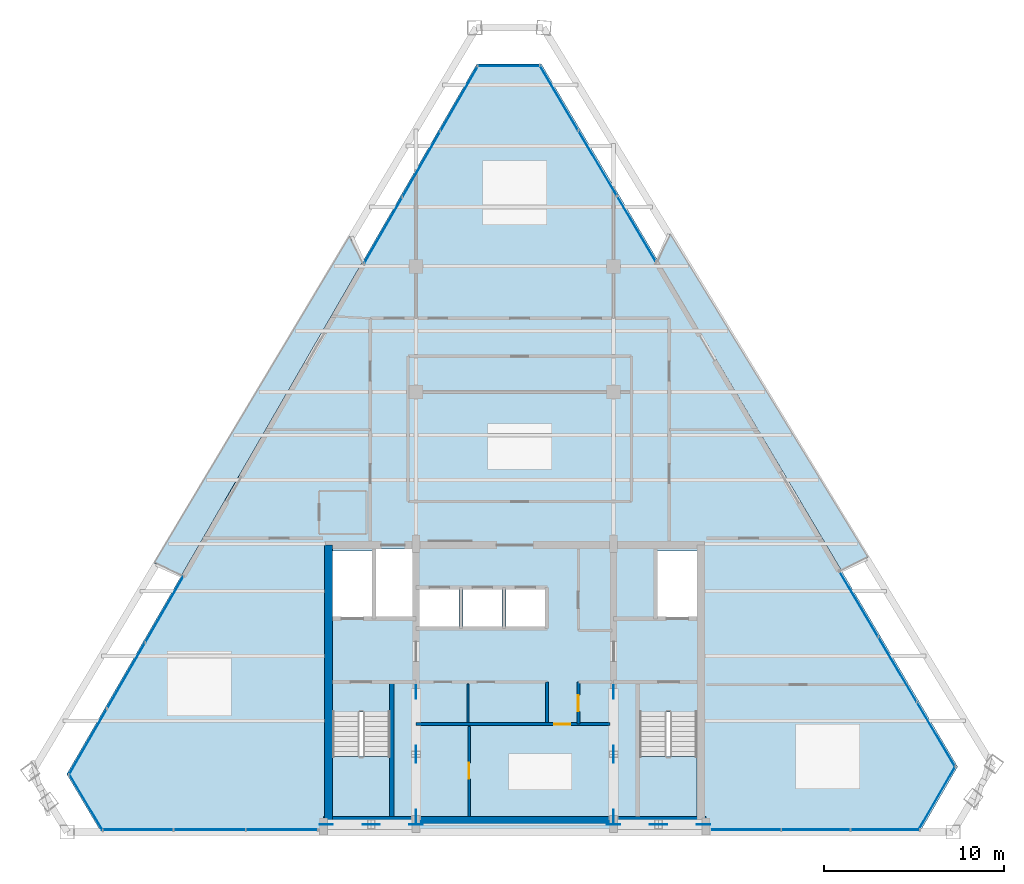
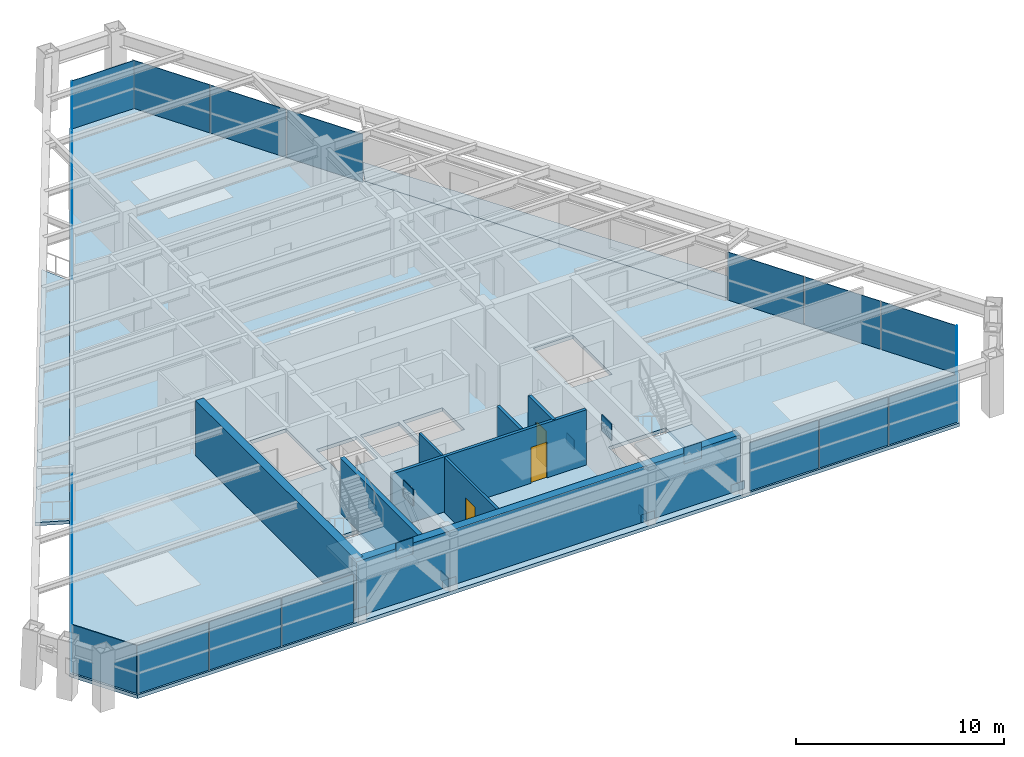
# One storey, part 8 of 13: 33 plates, 8 walls, 5 slabs, 3 doors, 3 openings, 11 elements without a shape of their own.
"""IFC4 building model written with IfcOpenShell, lengths in metres."""

import ifcopenshell
import ifcopenshell.guid

model = None  # the IFC model being written
_history = None  # IfcOwnerHistory: only IFC2X3 demands one
_inside = {}  # id of a spatial element -> (the spatial element, [elements in it])
_under = {}  # id of a project, library or spatial element -> (it, [spatial elements below it])
_declared = {}  # id of a project -> (the project, [libraries it declares])
_typed = {}  # id of a type object -> (the type object, [elements of that type])
_made_of = {}  # id of a material, layer set ... -> (it, [elements and type objects made of it])


def new_model(schema):
    """Start an empty IFC model of exactly this schema.

    Asked for "IFC4X3", IfcOpenShell would pick the latest addendum, in which some entities
    have other attributes; the version numbers below select the first issue.
    IFC2X3 requires an IfcOwnerHistory on every rooted entity: one is made here for all.
    """
    global model, _history
    if schema == "IFC4X3":
        model = ifcopenshell.file(schema_version=(4, 3, 0, 0))
    else:
        model = ifcopenshell.file(schema=schema)
    _inside.clear()
    _under.clear()
    _declared.clear()
    _typed.clear()
    _made_of.clear()
    _history = None
    if model.schema == "IFC2X3":
        org = make("IfcOrganization", Name="unknown")
        user = make(
            "IfcPersonAndOrganization",
            ThePerson=make("IfcPerson", FamilyName="unknown"),
            TheOrganization=org,
        )
        app = make(
            "IfcApplication",
            ApplicationDeveloper=org,
            Version="unknown",
            ApplicationFullName="unknown",
            ApplicationIdentifier="unknown",
        )
        _history = make(
            "IfcOwnerHistory",
            OwningUser=user,
            OwningApplication=app,
            ChangeAction="ADDED",
            CreationDate=0,
        )
    return model


def make(cls, **values):
    """One entity of the class cls with the attributes given. An attribute that is None is left unset."""
    return model.create_entity(
        cls, **{name: value for name, value in values.items() if value is not None}
    )


def rooted(cls, **values):
    """An entity with a GlobalId (a new one), such as an element, a storey or a relation."""
    return make(cls, GlobalId=ifcopenshell.guid.new(), OwnerHistory=_history, **values)


def si_unit(unit_type, name, prefix=None):
    """IfcSIUnit, for example si_unit("LENGTHUNIT", "METRE", prefix="MILLI")."""
    return make("IfcSIUnit", UnitType=unit_type, Prefix=prefix, Name=name)


def assignment(units):
    """IfcUnitAssignment: the units of a project."""
    return None if units is None else make("IfcUnitAssignment", Units=units)


def point(xyz):
    """IfcCartesianPoint."""
    return None if xyz is None else make("IfcCartesianPoint", Coordinates=xyz)


def direction(xyz):
    """IfcDirection."""
    return None if xyz is None else make("IfcDirection", DirectionRatios=xyz)


def frame(location, z_axis=None, x_axis=None):
    """IfcAxis2Placement3D, a coordinate frame: its origin and axes. An axis left out is left unset."""
    return make(
        "IfcAxis2Placement3D",
        Location=point(location),
        Axis=direction(z_axis),
        RefDirection=direction(x_axis),
    )


def frame_2d(location, x_axis=None):
    """IfcAxis2Placement2D, a coordinate frame in the plane: its origin and x axis."""
    return make(
        "IfcAxis2Placement2D", Location=point(location), RefDirection=direction(x_axis)
    )


def origin():
    """The frame at (0, 0, 0) with its axes left unset."""
    return frame((0.0, 0.0, 0.0))


def origin_2d():
    """The frame at (0, 0) in the plane with its x axis left unset."""
    return frame_2d((0.0, 0.0))


def place(relative_to, where):
    """IfcLocalPlacement: puts the frame where relative to a parent placement (None: the world)."""
    return make(
        "IfcLocalPlacement", PlacementRelTo=relative_to, RelativePlacement=where
    )


def context(
    kind, dimensions, precision=None, world=None, true_north=None, identifier=None
):
    """IfcGeometricRepresentationContext, for example the 3D "Model" context."""
    return make(
        "IfcGeometricRepresentationContext",
        ContextIdentifier=identifier,
        ContextType=kind,
        CoordinateSpaceDimension=dimensions,
        Precision=precision,
        WorldCoordinateSystem=world,
        TrueNorth=true_north,
    )


def subcontext(parent, identifier, kind, view, scale=None):
    """IfcGeometricRepresentationSubContext, for example "Body" below "Model"."""
    return make(
        "IfcGeometricRepresentationSubContext",
        ContextIdentifier=identifier,
        ContextType=kind,
        ParentContext=parent,
        TargetScale=scale,
        TargetView=view,
    )


def project(units=None, contexts=None):
    """IfcProject with its units and contexts."""
    return rooted(
        "IfcProject",
        Name="project",
        RepresentationContexts=contexts,
        UnitsInContext=assignment(units),
    )


def spatial(cls, under=None, at=None, **own):
    """A site, building, storey or space (cls), placed at a placement, below another one or the project."""
    s = rooted(cls, ObjectPlacement=at, **own)
    if under is not None:
        _under.setdefault(under.id(), (under, []))[1].append(s)
    return s


def polyline(points):
    """IfcPolyline through the points."""
    return make("IfcPolyline", Points=[point(p) for p in points])


def profile(cls, at=None, kind="AREA", **sizes):
    """A parametric profile (cls). Its sizes go by their IFC names, for example OverallWidth=200.0."""
    return make(cls, ProfileType=kind, Position=at, **sizes)


def rectangle(**sizes):
    """IfcRectangleProfileDef."""
    return profile("IfcRectangleProfileDef", **sizes)


def outline(outer, holes=None, kind="AREA"):
    """IfcArbitraryClosedProfileDef: a profile drawn as a closed curve; with holes, ...WithVoids."""
    if holes is None:
        return make("IfcArbitraryClosedProfileDef", ProfileType=kind, OuterCurve=outer)
    return make(
        "IfcArbitraryProfileDefWithVoids",
        ProfileType=kind,
        OuterCurve=outer,
        InnerCurves=holes,
    )


def extrude(swept, where, along, depth):
    """IfcExtrudedAreaSolid: the profile swept, set in the frame where, extruded along a direction by depth."""
    return make(
        "IfcExtrudedAreaSolid",
        SweptArea=swept,
        Position=where,
        ExtrudedDirection=direction(along),
        Depth=depth,
    )


def shape(context_of_items, identifier, shape_type, items):
    """IfcShapeRepresentation: the items that make up one representation, for example the "Body"."""
    return make(
        "IfcShapeRepresentation",
        ContextOfItems=context_of_items,
        RepresentationIdentifier=identifier,
        RepresentationType=shape_type,
        Items=items,
    )


def source(mapping_origin, context_of_items, identifier, shape_type, items):
    """IfcRepresentationMap: a shape defined once, which mapped items show again and again."""
    return make(
        "IfcRepresentationMap",
        MappingOrigin=mapping_origin,
        MappedRepresentation=shape(context_of_items, identifier, shape_type, items),
    )


def transform(
    local_origin,
    x_axis=None,
    y_axis=None,
    z_axis=None,
    scale=None,
    scale2=None,
    scale3=None,
    uniform=True,
):
    """IfcCartesianTransformationOperator3D, or its non-uniform kind. x_axis, y_axis, z_axis: its Axis1, 2, 3."""
    if uniform:
        return make(
            "IfcCartesianTransformationOperator3D",
            Axis1=direction(x_axis),
            Axis2=direction(y_axis),
            LocalOrigin=point(local_origin),
            Scale=scale,
            Axis3=direction(z_axis),
        )
    return make(
        "IfcCartesianTransformationOperator3DnonUniform",
        Axis1=direction(x_axis),
        Axis2=direction(y_axis),
        LocalOrigin=point(local_origin),
        Scale=scale,
        Axis3=direction(z_axis),
        Scale2=scale2,
        Scale3=scale3,
    )


def mapped(mapping_source, mapping_target):
    """IfcMappedItem: shows the shape of a source again, moved by a transform."""
    return make(
        "IfcMappedItem", MappingSource=mapping_source, MappingTarget=mapping_target
    )


def material(Name=None, Category=None):
    """IfcMaterial."""
    return make("IfcMaterial", Name=Name, Category=Category)


def layer(
    of_material, thickness, ventilated=None, Name=None, Category=None, Priority=None
):
    """IfcMaterialLayer: one layer of a wall or slab, of a material (None: an air gap)."""
    return make(
        "IfcMaterialLayer",
        Material=of_material,
        LayerThickness=thickness,
        IsVentilated=ventilated,
        Name=Name,
        Category=Category,
        Priority=Priority,
    )


def layer_set(layers, Name=None):
    """IfcMaterialLayerSet."""
    return make("IfcMaterialLayerSet", MaterialLayers=layers, LayerSetName=Name)


def made_of(thing, what):
    """Note that an element or type object is made of a material, layer set ...; save() writes the relation."""
    if what is not None:
        _made_of.setdefault(what.id(), (what, []))[1].append(thing)
    return thing


def type_object(cls, material=None, **own):
    """A type object (cls), such as IfcWallType, which elements share."""
    return made_of(rooted(cls, **own), material)


def type_shapes(of_type, sources):
    """Give a type object the sources (RepresentationMaps) that its elements show as mapped items."""
    of_type.RepresentationMaps = sources


def element(
    cls,
    number,
    at=None,
    inside=None,
    cuts=None,
    type_object=None,
    material=None,
    context=None,
    identifier="Body",
    shape_type=None,
    held_by="IfcProductDefinitionShape",
    body=None,
    shapes=None,
    **own,
):
    """One element of the class cls, such as IfcWall. Its Tag is "e" and its number.

    at: its placement. inside: the storey or other place that contains it. cuts: it is an
    opening in that element (IfcRelVoidsElement). A single representation is given by context,
    identifier, shape_type and body (its items); several are given by shapes. held_by: the class
    of the entity that holds the representations. save() writes the other relations.
    """
    e = rooted(cls, Tag="e%d" % number, ObjectPlacement=at, **own)
    if body is not None:
        shapes = [shape(context, identifier, shape_type, body)]
    if shapes is not None:
        e.Representation = make(held_by, Representations=shapes)
    if inside is not None:
        _inside.setdefault(inside.id(), (inside, []))[1].append(e)
    if cuts is not None:
        rooted(
            "IfcRelVoidsElement", RelatingBuildingElement=cuts, RelatedOpeningElement=e
        )
    if type_object is not None:
        _typed.setdefault(type_object.id(), (type_object, []))[1].append(e)
    return made_of(e, material)


def fill(opening, filler):
    """IfcRelFillsElement: the door or window that sits in an opening."""
    return rooted(
        "IfcRelFillsElement",
        RelatingOpeningElement=opening,
        RelatedBuildingElement=filler,
    )


def aggregate(whole, parts):
    """IfcRelAggregates: a whole, such as a stair, and the parts it consists of."""
    return rooted("IfcRelAggregates", RelatingObject=whole, RelatedObjects=parts)


def save(model, path):
    """Write the relations noted so far, then the file.

    IfcRelAggregates (storeys below a building ...), IfcRelContainedInSpatialStructure (elements
    in a storey), IfcRelDefinesByType, IfcRelAssociatesMaterial and IfcRelDeclares: one each for
    every whole, place, type object, material and project.
    """
    for whole, parts in _under.values():
        aggregate(whole, parts)
    for where, things in _inside.values():
        rooted(
            "IfcRelContainedInSpatialStructure",
            RelatedElements=things,
            RelatingStructure=where,
        )
    for kind, things in _typed.values():
        rooted("IfcRelDefinesByType", RelatedObjects=things, RelatingType=kind)
    for what, things in _made_of.values():
        rooted("IfcRelAssociatesMaterial", RelatedObjects=things, RelatingMaterial=what)
    for by, libraries in _declared.values():
        rooted("IfcRelDeclares", RelatingContext=by, RelatedDefinitions=libraries)
    model.write(path)


model = new_model("IFC4")

# Units and contexts
model_context = context("Model", 3, precision=1e-05, world=origin(), true_north=direction((0.0, 1.0)))
body_context = subcontext(model_context, "Body", "Model", "MODEL_VIEW")
ifc_project = project(units=[si_unit("LENGTHUNIT", "METRE"), si_unit("AREAUNIT", "SQUARE_METRE"), si_unit("VOLUMEUNIT", "CUBIC_METRE"), si_unit("PLANEANGLEUNIT", "RADIAN"), si_unit("MASSUNIT", "GRAM", prefix="KILO")], contexts=[model_context])

# Site, building, storey
site_placement = place(None, origin())
site = spatial("IfcSite", under=ifc_project, at=site_placement, CompositionType="ELEMENT")
building_placement = place(site_placement, origin())
building = spatial("IfcBuilding", under=site, at=building_placement, Name="Varnakhor Terracotta Tower", CompositionType="ELEMENT")
storey_placement = place(building_placement, frame((0.0, 0.0, 276.449951171875)))
storey = spatial("IfcBuildingStorey", under=building, at=storey_placement, Name="L72", CompositionType="ELEMENT", Elevation=276.449951171875)

# Slab
ifc_material_1 = material(Name="Concrete C40/50", Category="concrete")
ifc_layer_1 = layer(ifc_material_1, 0.2099609375, Name="Concrete C40/50")
ifc_layer_set_1 = layer_set([ifc_layer_1], Name="Concrete C40/50")
slab_type_1 = type_object("IfcSlabType", Name="SLB-HTL-210", PredefinedType="FLOOR", material=ifc_layer_set_1)
slab_1_placement = place(storey_placement, frame((0.0, 0.0, -0.2099609375)))
element("IfcSlab", 1, at=slab_1_placement, inside=storey, type_object=slab_type_1, Name="L72 Structural Floor Slab", PredefinedType="FLOOR", context=body_context, shape_type="SweptSolid", body=[
    extrude(outline(polyline([(-24.951171875, 3.223388671875), (-2.111083984375, 42.77783203125), (1.47119140625, 42.77783203125), (24.658203125, 3.636474609375), (22.558349609375, 0.0), (-23.04150390625, 0.0), (-24.951171875, 3.223388671875)]), holes=[polyline([(-6.949951171875, 0.85009765625), (-6.949951171875, 6.695068359375), (-10.14990234375, 6.695068359375), (-10.14990234375, 0.85009765625), (-6.949951171875, 0.85009765625)]), polyline([(10.14990234375, 0.85009765625), (10.14990234375, 6.695068359375), (6.949951171875, 6.695068359375), (6.949951171875, 0.85009765625), (10.14990234375, 0.85009765625)]), polyline([(-3.10009765625, 11.419921875), (-3.10009765625, 13.52001953125), (-5.300048828125, 13.52001953125), (-5.300048828125, 11.419921875), (-3.10009765625, 11.419921875)]), polyline([(-0.719970703125, 11.419921875), (-0.719970703125, 13.52001953125), (-2.8798828125, 13.52001953125), (-2.8798828125, 11.419921875), (-0.719970703125, 11.419921875)]), polyline([(1.699951171875, 11.419921875), (1.699951171875, 13.52001953125), (-0.5, 13.52001953125), (-0.5, 11.419921875), (1.699951171875, 11.419921875)]), polyline([(-7.949951171875, 11.8798828125), (-7.949951171875, 15.64990234375), (-10.14990234375, 15.64990234375), (-10.14990234375, 11.8798828125), (-7.949951171875, 11.8798828125)]), polyline([(10.14990234375, 11.8798828125), (10.14990234375, 15.64990234375), (7.949951171875, 15.64990234375), (7.949951171875, 11.8798828125), (10.14990234375, 11.8798828125)]), polyline([(-5.699951171875, 11.8798828125), (-5.699951171875, 15.75), (-7.72998046875, 15.75), (-7.72998046875, 11.8798828125), (-5.699951171875, 11.8798828125)])]), origin(), (0.0, 0.0, 1.0), 0.2099609375),
])

# Stair, slab
stair_type = type_object("IfcStairType", Name="STR-CORE-HOTEL-1500", PredefinedType="HALF_TURN_STAIR", material=ifc_material_1)
stair_1_placement = place(storey_placement, origin())
stair_1 = element("IfcStair", 2, at=stair_1_placement, inside=storey, type_object=stair_type, Name="L72 Core Exit Stair ST-1", PredefinedType="HALF_TURN_STAIR")
ifc_layer_2 = layer(ifc_material_1, 0.179931640625, Name="Concrete C40/50")
ifc_layer_set_2 = layer_set([ifc_layer_2], Name="Concrete C40/50")
slab_type_2 = type_object("IfcSlabType", Name="SLB-LANDING-180", PredefinedType="LANDING", material=ifc_layer_set_2)
slab_2_placement = place(storey_placement, frame((0.0, 0.0, 1.525146484375)))
slab_2 = element("IfcSlab", 3, at=slab_2_placement, type_object=slab_type_2, Name="ST-1 landing 1", PredefinedType="LANDING", context=body_context, shape_type="SweptSolid", body=[
    extrude(outline(polyline([(-10.14990234375, 4.18994140625), (-10.14990234375, 0.85009765625), (-6.949951171875, 0.85009765625), (-6.949951171875, 4.18994140625), (-10.14990234375, 4.18994140625)])), origin(), (0.0, 0.0, 1.0), 0.199951171875),
])
aggregate(stair_1, [slab_2])

stair_2_placement = place(storey_placement, origin())
stair_2 = element("IfcStair", 4, at=stair_2_placement, inside=storey, type_object=stair_type, Name="L72 Core Exit Stair ST-2", PredefinedType="HALF_TURN_STAIR")
slab_3_placement = place(storey_placement, frame((0.0, 0.0, 1.525146484375)))
slab_3 = element("IfcSlab", 5, at=slab_3_placement, type_object=slab_type_2, Name="ST-2 landing 1", PredefinedType="LANDING", context=body_context, shape_type="SweptSolid", body=[
    extrude(outline(polyline([(6.949951171875, 4.18994140625), (6.949951171875, 0.85009765625), (10.14990234375, 0.85009765625), (10.14990234375, 4.18994140625), (6.949951171875, 4.18994140625)])), origin(), (0.0, 0.0, 1.0), 0.199951171875),
])
aggregate(stair_2, [slab_3])

# Slabs
ifc_layer_3 = layer(ifc_material_1, 0.195068359375, Name="Concrete C40/50")
ifc_layer_set_3 = layer_set([ifc_layer_3], Name="Concrete C40/50")
slab_type_3 = type_object("IfcSlabType", Name="SLB-LOGGIA-EXT-195", PredefinedType="FLOOR", material=ifc_layer_set_3)
slab_4_placement = place(storey_placement, frame((0.0, 0.0, -0.195068359375)))
element("IfcSlab", 6, at=slab_4_placement, inside=storey, type_object=slab_type_3, Name="L72 E Recessed Outdoor Loggia Slab", PredefinedType="FLOOR", context=body_context, shape_type="SweptSolid", body=[
    extrude(outline(polyline([(8.636474609375, 33.310791015625), (19.665283203125, 15.28076171875), (18.165771484375, 14.59619140625), (10.690185546875, 27.21533203125), (7.963623046875, 31.818359375), (8.636474609375, 33.310791015625)])), origin(), (0.0, 0.0, 1.0), 0.195068359375),
])
slab_5_placement = place(storey_placement, frame((0.0, 0.0, -0.195068359375)))
element("IfcSlab", 7, at=slab_5_placement, inside=storey, type_object=slab_type_3, Name="L72 W Recessed Outdoor Loggia Slab", PredefinedType="FLOOR", context=body_context, shape_type="SweptSolid", body=[
    extrude(outline(polyline([(-20.069580078125, 14.96923828125), (-9.184814453125, 33.189697265625), (-8.50634765625, 31.70263671875), (-9.42138671875, 30.117919921875), (-18.555908203125, 14.298583984375), (-20.069580078125, 14.96923828125)])), origin(), (0.0, 0.0, 1.0), 0.195068359375),
])

# Plates
ifc_material_2 = material(Name="Steel S460", Category="steel")
ifc_layer_4 = layer(ifc_material_2, 0.050048828125, Name="Steel S460")
ifc_layer_set_4 = layer_set([ifc_layer_4], Name="Steel S460")
plate_type_1 = type_object("IfcPlateType", Name="PLT-GUSSET-50", PredefinedType="USERDEFINED", material=ifc_layer_set_4)
shared_shape_1 = source(origin(), body_context, "Body", "SweptSolid", [
    extrude(rectangle(XDim=0.75, YDim=0.0400390625, at=origin_2d()), origin(), (0.0, 0.0, 1.0), 0.550048828125),
])
type_shapes(plate_type_1, [shared_shape_1])
for number, where, z_axis, x_axis, name in (
    (8, (-10.5, 0.419921875, -0.09521484375), (0.0, 0.0, 1.0), (1.0, 0.0, 0.0), "L72 Core Brace Embed Plate CSWA"),
    (9, (-5.5, 0.419921875, -0.09521484375), (0.0, 0.0, 1.0), (1.0, 0.0, 0.0), "L72 Core Brace Embed Plate CSWB"),
    (10, (5.5, 0.419921875, -0.09521484375), (0.0, 0.0, 1.0), (1.0, 0.0, 0.0), "L72 Core Brace Embed Plate CSEA"),
    (11, (10.5, 0.419921875, -0.09521484375), (0.0, 0.0, 1.0), (1.0, 0.0, 0.0), "L72 Core Brace Embed Plate CSEB"),
    (12, (-5.5, 0.85009765625, -0.09521484375), (0.0, 0.0, 1.0), (0.0, 1.0, 0.0), "L72 Core Brace Embed Plate CWWA"),
    (13, (-5.5, 7.800048828125, -0.09521484375), (0.0, 0.0, 1.0), (0.0, 1.0, 0.0), "L72 Core Brace Embed Plate CWWB"),
    (14, (5.5, 0.85009765625, -0.09521484375), (0.0, 0.0, 1.0), (0.0, 1.0, 0.0), "L72 Core Brace Embed Plate CWEA"),
    (15, (5.5, 7.800048828125, -0.09521484375), (0.0, 0.0, 1.0), (0.0, 1.0, 0.0), "L72 Core Brace Embed Plate CWEB"),
):
    element("IfcPlate", number, at=place(storey_placement, frame(where, z_axis=z_axis, x_axis=x_axis)), inside=storey, type_object=plate_type_1, Name=name, ObjectType="GUSSET PLATE", PredefinedType="USERDEFINED", context=body_context, shape_type="MappedRepresentation", body=[
        mapped(shared_shape_1, transform((0.0, 0.0, 0.0), scale=1.0)),
    ])
shared_shape_2 = source(origin(), body_context, "Body", "SweptSolid", [
    extrude(rectangle(XDim=0.949951171875, YDim=0.044921875, at=origin_2d()), origin(), (0.0, 0.0, 1.0), 0.949951171875),
])
for number, where, z_axis, x_axis, name in (
    (16, (-8.0, 0.419921875, 2.615234375), (0.0, 0.0, 1.0), (1.0, 0.0, 0.0), "L72 Core Brace Apex Gusset CSW"),
    (17, (8.0, 0.419921875, 2.615234375), (0.0, 0.0, 1.0), (1.0, 0.0, 0.0), "L72 Core Brace Apex Gusset CSE"),
    (18, (-5.5, 4.324951171875, 2.615234375), (0.0, 0.0, 1.0), (0.0, 1.0, 0.0), "L72 Core Brace Apex Gusset CWW"),
    (19, (5.5, 4.324951171875, 2.615234375), (0.0, 0.0, 1.0), (0.0, 1.0, 0.0), "L72 Core Brace Apex Gusset CWE"),
):
    element("IfcPlate", number, at=place(storey_placement, frame(where, z_axis=z_axis, x_axis=x_axis)), inside=storey, type_object=plate_type_1, Name=name, ObjectType="GUSSET PLATE", PredefinedType="USERDEFINED", context=body_context, shape_type="MappedRepresentation", body=[
        mapped(shared_shape_2, transform((0.0, 0.0, 0.0), scale=1.0)),
    ])

# Curtain wall, plates
ifc_material_3 = material(Name="Anodised Aluminium Curtain Wall System", Category="aluminium")
curtain_wall_type = type_object("IfcCurtainWallType", Name="CW-SYS-HOTEL-LOGGIA", PredefinedType="NOTDEFINED", material=ifc_material_3)
curtain_wall_1_placement = place(storey_placement, origin())
curtain_wall_1 = element("IfcCurtainWall", 20, at=curtain_wall_1_placement, inside=storey, type_object=curtain_wall_type, Name="L72 W Facet Curtain Wall 1", PredefinedType="NOTDEFINED")
ifc_material_4 = material(Name="Solar-Control Low-E Insulated Glass Panel", Category="glass")
ifc_layer_5 = layer(ifc_material_4, 0.033935546875, Name="Solar-Control Low-E Insulated Glass Panel")
ifc_layer_set_5 = layer_set([ifc_layer_5], Name="Solar-Control Low-E Insulated Glass Panel")
plate_type_2 = type_object("IfcPlateType", Name="CWP-04", PredefinedType="CURTAIN_PANEL", material=ifc_layer_set_5)
shared_shape_3 = source(origin(), body_context, "Body", "SweptSolid", [
    extrude(rectangle(XDim=4.202880859375, YDim=0.035888671875, at=origin_2d()), origin(), (0.0, 0.0, 1.0), 2.820068359375),
])
plate_1_placement = place(storey_placement, frame((-23.771240234375, 5.026611328125, 0.0), z_axis=(0.0, 0.0, 1.0), x_axis=(0.500045344299, 0.865999222659, 0.0)))
plate_1 = element("IfcPlate", 21, at=plate_1_placement, type_object=plate_type_2, Name="L72 W Facet Curtain Wall 1 Glazed Panel 1", PredefinedType="CURTAIN_PANEL", context=body_context, shape_type="MappedRepresentation", body=[
    mapped(shared_shape_3, transform((0.0, 0.0, 0.0), scale=1.0)),
])
plate_2_placement = place(storey_placement, frame((-21.6494140625, 8.700927734375, 0.0), z_axis=(0.0, 0.0, 1.0), x_axis=(0.500045344299, 0.865999222659, 0.0)))
plate_2 = element("IfcPlate", 22, at=plate_2_placement, type_object=plate_type_2, Name="L72 W Facet Curtain Wall 1 Glazed Panel 2", PredefinedType="CURTAIN_PANEL", context=body_context, shape_type="MappedRepresentation", body=[
    mapped(shared_shape_3, transform((0.0, 0.0, 0.0), scale=1.0)),
])

curtain_wall_2_placement = place(storey_placement, origin())
curtain_wall_2 = element("IfcCurtainWall", 23, at=curtain_wall_2_placement, inside=storey, type_object=curtain_wall_type, Name="L72 W Facet Curtain Wall 2", PredefinedType="NOTDEFINED")
plate_3_placement = place(storey_placement, frame((-7.326416015625, 33.505859375, 0.0), z_axis=(0.0, 0.0, 1.0), x_axis=(0.500045344299, 0.865999222659, 0.0)))
plate_3 = element("IfcPlate", 24, at=plate_3_placement, type_object=plate_type_2, Name="L72 W Facet Curtain Wall 2 Glazed Panel 1", PredefinedType="CURTAIN_PANEL", context=body_context, shape_type="MappedRepresentation", body=[
    mapped(shared_shape_3, transform((0.0, 0.0, 0.0), scale=1.0)),
])
plate_4_placement = place(storey_placement, frame((-3.0830078125, 40.854736328125, 0.0), z_axis=(0.0, 0.0, 1.0), x_axis=(0.500045344299, 0.865999222659, 0.0)))
plate_4 = element("IfcPlate", 25, at=plate_4_placement, type_object=plate_type_2, Name="L72 W Facet Curtain Wall 2 Glazed Panel 3", PredefinedType="CURTAIN_PANEL", context=body_context, shape_type="MappedRepresentation", body=[
    mapped(shared_shape_3, transform((0.0, 0.0, 0.0), scale=1.0)),
])

# Plate
shared_shape_4 = source(origin(), body_context, "Body", "SweptSolid", [
    extrude(rectangle(XDim=4.203125, YDim=0.035888671875, at=origin_2d()), origin(), (0.0, 0.0, 1.0), 2.820068359375),
])
plate_5_placement = place(storey_placement, frame((-19.52783203125, 12.37548828125, 0.0), z_axis=(0.0, 0.0, 1.0), x_axis=(0.500045344299, 0.865999222659, 0.0)))
plate_5 = element("IfcPlate", 26, at=plate_5_placement, type_object=plate_type_2, Name="L72 W Facet Curtain Wall 1 Glazed Panel 3", PredefinedType="CURTAIN_PANEL", context=body_context, shape_type="MappedRepresentation", body=[
    mapped(shared_shape_4, transform((0.0, 0.0, 0.0), scale=1.0)),
])

aggregate(curtain_wall_1, [plate_1, plate_2, plate_5])

plate_6_placement = place(storey_placement, frame((-5.204833984375, 37.180419921875, 0.0), z_axis=(0.0, 0.0, 1.0), x_axis=(0.500045344299, 0.865999222659, 0.0)))
plate_6 = element("IfcPlate", 27, at=plate_6_placement, type_object=plate_type_2, Name="L72 W Facet Curtain Wall 2 Glazed Panel 2", PredefinedType="CURTAIN_PANEL", context=body_context, shape_type="MappedRepresentation", body=[
    mapped(shared_shape_4, transform((0.0, 0.0, 0.0), scale=1.0)),
])

aggregate(curtain_wall_2, [plate_3, plate_6, plate_4])

# Curtain wall, plate
curtain_wall_3_placement = place(storey_placement, origin())
curtain_wall_3 = element("IfcCurtainWall", 28, at=curtain_wall_3_placement, inside=storey, type_object=curtain_wall_type, Name="L72 Facet Curtain Wall 2", PredefinedType="NOTDEFINED")
shared_shape_5 = source(origin(), body_context, "Body", "SweptSolid", [
    extrude(rectangle(XDim=3.482421875, YDim=0.035888671875, at=origin_2d()), origin(), (0.0, 0.0, 1.0), 2.820068359375),
])
plate_7_placement = place(storey_placement, frame((-0.320068359375, 42.657958984375, 0.0), z_axis=(0.0, 0.0, 1.0), x_axis=(1.0, 0.0, 0.0)))
plate_7 = element("IfcPlate", 29, at=plate_7_placement, type_object=plate_type_2, Name="L72 Facet Curtain Wall 2 Glazed Panel 1", PredefinedType="CURTAIN_PANEL", context=body_context, shape_type="MappedRepresentation", body=[
    mapped(shared_shape_5, transform((0.0, 0.0, 0.0), scale=1.0)),
])
aggregate(curtain_wall_3, [plate_7])

# Curtain wall, plates
curtain_wall_4_placement = place(storey_placement, origin())
curtain_wall_4 = element("IfcCurtainWall", 30, at=curtain_wall_4_placement, inside=storey, type_object=curtain_wall_type, Name="L72 E Facet Curtain Wall 1", PredefinedType="NOTDEFINED")
shared_shape_6 = source(origin(), body_context, "Body", "SweptSolid", [
    extrude(rectangle(XDim=4.18603515625, YDim=0.035888671875, at=origin_2d()), origin(), (0.0, 0.0, 1.0), 2.820068359375),
])
plate_8_placement = place(storey_placement, frame((2.460205078125, 40.872802734375, 0.0), z_axis=(0.0, 0.0, 1.0), x_axis=(0.509672235788, -0.860368648933, 0.0)))
plate_8 = element("IfcPlate", 31, at=plate_8_placement, type_object=plate_type_2, Name="L72 E Facet Curtain Wall 1 Glazed Panel 1", PredefinedType="CURTAIN_PANEL", context=body_context, shape_type="MappedRepresentation", body=[
    mapped(shared_shape_6, transform((0.0, 0.0, 0.0), scale=1.0)),
])
plate_9_placement = place(storey_placement, frame((4.614013671875, 37.23681640625, 0.0), z_axis=(0.0, 0.0, 1.0), x_axis=(0.509672235788, -0.860368648933, 0.0)))
plate_9 = element("IfcPlate", 32, at=plate_9_placement, type_object=plate_type_2, Name="L72 E Facet Curtain Wall 1 Glazed Panel 2", PredefinedType="CURTAIN_PANEL", context=body_context, shape_type="MappedRepresentation", body=[
    mapped(shared_shape_6, transform((0.0, 0.0, 0.0), scale=1.0)),
])
plate_10_placement = place(storey_placement, frame((6.76806640625, 33.600830078125, 0.0), z_axis=(0.0, 0.0, 1.0), x_axis=(0.509672235788, -0.860368648933, 0.0)))
plate_10 = element("IfcPlate", 33, at=plate_10_placement, type_object=plate_type_2, Name="L72 E Facet Curtain Wall 1 Glazed Panel 3", PredefinedType="CURTAIN_PANEL", context=body_context, shape_type="MappedRepresentation", body=[
    mapped(shared_shape_6, transform((0.0, 0.0, 0.0), scale=1.0)),
])
aggregate(curtain_wall_4, [plate_8, plate_9, plate_10])

curtain_wall_5_placement = place(storey_placement, origin())
curtain_wall_5 = element("IfcCurtainWall", 34, at=curtain_wall_5_placement, inside=storey, type_object=curtain_wall_type, Name="L72 E Facet Curtain Wall 2", PredefinedType="NOTDEFINED")
plate_11_placement = place(storey_placement, frame((19.15478515625, 12.691162109375, 0.0), z_axis=(0.0, 0.0, 1.0), x_axis=(0.509672235788, -0.860368648933, 0.0)))
plate_11 = element("IfcPlate", 35, at=plate_11_placement, type_object=plate_type_2, Name="L72 E Facet Curtain Wall 2 Glazed Panel 1", PredefinedType="CURTAIN_PANEL", context=body_context, shape_type="MappedRepresentation", body=[
    mapped(shared_shape_6, transform((0.0, 0.0, 0.0), scale=1.0)),
])
plate_12_placement = place(storey_placement, frame((21.30859375, 9.05517578125, 0.0), z_axis=(0.0, 0.0, 1.0), x_axis=(0.509672235788, -0.860368648933, 0.0)))
plate_12 = element("IfcPlate", 36, at=plate_12_placement, type_object=plate_type_2, Name="L72 E Facet Curtain Wall 2 Glazed Panel 2", PredefinedType="CURTAIN_PANEL", context=body_context, shape_type="MappedRepresentation", body=[
    mapped(shared_shape_6, transform((0.0, 0.0, 0.0), scale=1.0)),
])
plate_13_placement = place(storey_placement, frame((23.462646484375, 5.419189453125, 0.0), z_axis=(0.0, 0.0, 1.0), x_axis=(0.509672235788, -0.860368648933, 0.0)))
plate_13 = element("IfcPlate", 37, at=plate_13_placement, type_object=plate_type_2, Name="L72 E Facet Curtain Wall 2 Glazed Panel 3", PredefinedType="CURTAIN_PANEL", context=body_context, shape_type="MappedRepresentation", body=[
    mapped(shared_shape_6, transform((0.0, 0.0, 0.0), scale=1.0)),
])
aggregate(curtain_wall_5, [plate_11, plate_12, plate_13])

# Curtain wall, plate
curtain_wall_6_placement = place(storey_placement, origin())
curtain_wall_6 = element("IfcCurtainWall", 38, at=curtain_wall_6_placement, inside=storey, type_object=curtain_wall_type, Name="L72 Facet Curtain Wall 4", PredefinedType="NOTDEFINED")
shared_shape_7 = source(origin(), body_context, "Body", "SweptSolid", [
    extrude(rectangle(XDim=4.09912109375, YDim=0.035888671875, at=origin_2d()), origin(), (0.0, 0.0, 1.0), 2.820068359375),
])
plate_14_placement = place(storey_placement, frame((23.50439453125, 1.878173828125, 0.0), z_axis=(0.0, 0.0, 1.0), x_axis=(-0.50006045876, -0.865990495089, 0.0)))
plate_14 = element("IfcPlate", 39, at=plate_14_placement, type_object=plate_type_2, Name="L72 Facet Curtain Wall 4 Glazed Panel 1", PredefinedType="CURTAIN_PANEL", context=body_context, shape_type="MappedRepresentation", body=[
    mapped(shared_shape_7, transform((0.0, 0.0, 0.0), scale=1.0)),
])
aggregate(curtain_wall_6, [plate_14])

# Curtain wall, plates
curtain_wall_7_placement = place(storey_placement, origin())
curtain_wall_7 = element("IfcCurtainWall", 40, at=curtain_wall_7_placement, inside=storey, type_object=curtain_wall_type, Name="L72 South Wing Curtain Wall SSE", PredefinedType="NOTDEFINED")
shared_shape_8 = source(origin(), body_context, "Body", "SweptSolid", [
    extrude(rectangle(XDim=3.8193359375, YDim=0.035888671875, at=origin_2d()), origin(), (0.0, 0.0, 1.0), 2.820068359375),
])
plate_15_placement = place(storey_placement, frame((20.61865234375, 0.1201171875, 0.0), z_axis=(0.0, 0.0, 1.0), x_axis=(-1.0, 0.0, 0.0)))
plate_15 = element("IfcPlate", 41, at=plate_15_placement, type_object=plate_type_2, Name="L72 South Wing Curtain Wall SSE Glazed Panel 1", PredefinedType="CURTAIN_PANEL", context=body_context, shape_type="MappedRepresentation", body=[
    mapped(shared_shape_8, transform((0.0, 0.0, 0.0), scale=1.0)),
])
plate_16_placement = place(storey_placement, frame((12.899658203125, 0.1201171875, 0.0), z_axis=(0.0, 0.0, 1.0), x_axis=(-1.0, 0.0, 0.0)))
plate_16 = element("IfcPlate", 42, at=plate_16_placement, type_object=plate_type_2, Name="L72 South Wing Curtain Wall SSE Glazed Panel 3", PredefinedType="CURTAIN_PANEL", context=body_context, shape_type="MappedRepresentation", body=[
    mapped(shared_shape_8, transform((0.0, 0.0, 0.0), scale=1.0)),
])
shared_shape_9 = source(origin(), body_context, "Body", "SweptSolid", [
    extrude(rectangle(XDim=3.819580078125, YDim=0.035888671875, at=origin_2d()), origin(), (0.0, 0.0, 1.0), 2.820068359375),
])
plate_17_placement = place(storey_placement, frame((16.759033203125, 0.1201171875, 0.0), z_axis=(0.0, 0.0, 1.0), x_axis=(-1.0, 0.0, 0.0)))
plate_17 = element("IfcPlate", 43, at=plate_17_placement, type_object=plate_type_2, Name="L72 South Wing Curtain Wall SSE Glazed Panel 2", PredefinedType="CURTAIN_PANEL", context=body_context, shape_type="MappedRepresentation", body=[
    mapped(shared_shape_9, transform((0.0, 0.0, 0.0), scale=1.0)),
])
aggregate(curtain_wall_7, [plate_15, plate_17, plate_16])

curtain_wall_8_placement = place(storey_placement, origin())
curtain_wall_8 = element("IfcCurtainWall", 44, at=curtain_wall_8_placement, inside=storey, type_object=curtain_wall_type, Name="L72 South Wing Curtain Wall SSW", PredefinedType="NOTDEFINED")
shared_shape_10 = source(origin(), body_context, "Body", "SweptSolid", [
    extrude(rectangle(XDim=3.98046875, YDim=0.035888671875, at=origin_2d()), origin(), (0.0, 0.0, 1.0), 2.820068359375),
])
plate_18_placement = place(storey_placement, frame((-12.980224609375, 0.1201171875, 0.0), z_axis=(0.0, 0.0, 1.0), x_axis=(-1.0, 0.0, 0.0)))
plate_18 = element("IfcPlate", 45, at=plate_18_placement, type_object=plate_type_2, Name="L72 South Wing Curtain Wall SSW Glazed Panel 1", PredefinedType="CURTAIN_PANEL", context=body_context, shape_type="MappedRepresentation", body=[
    mapped(shared_shape_10, transform((0.0, 0.0, 0.0), scale=1.0)),
])
plate_19_placement = place(storey_placement, frame((-21.021240234375, 0.1201171875, 0.0), z_axis=(0.0, 0.0, 1.0), x_axis=(-1.0, 0.0, 0.0)))
plate_19 = element("IfcPlate", 46, at=plate_19_placement, type_object=plate_type_2, Name="L72 South Wing Curtain Wall SSW Glazed Panel 3", PredefinedType="CURTAIN_PANEL", context=body_context, shape_type="MappedRepresentation", body=[
    mapped(shared_shape_10, transform((0.0, 0.0, 0.0), scale=1.0)),
])
shared_shape_11 = source(origin(), body_context, "Body", "SweptSolid", [
    extrude(rectangle(XDim=3.980712890625, YDim=0.035888671875, at=origin_2d()), origin(), (0.0, 0.0, 1.0), 2.820068359375),
])
plate_20_placement = place(storey_placement, frame((-17.000732421875, 0.1201171875, 0.0), z_axis=(0.0, 0.0, 1.0), x_axis=(-1.0, 0.0, 0.0)))
plate_20 = element("IfcPlate", 47, at=plate_20_placement, type_object=plate_type_2, Name="L72 South Wing Curtain Wall SSW Glazed Panel 2", PredefinedType="CURTAIN_PANEL", context=body_context, shape_type="MappedRepresentation", body=[
    mapped(shared_shape_11, transform((0.0, 0.0, 0.0), scale=1.0)),
])
aggregate(curtain_wall_8, [plate_18, plate_20, plate_19])

# Curtain wall, plate
curtain_wall_9_placement = place(storey_placement, origin())
curtain_wall_9 = element("IfcCurtainWall", 48, at=curtain_wall_9_placement, inside=storey, type_object=curtain_wall_type, Name="L72 Facet Curtain Wall 6", PredefinedType="NOTDEFINED")
shared_shape_12 = source(origin(), body_context, "Body", "SweptSolid", [
    extrude(rectangle(XDim=3.646484375, YDim=0.035888671875, at=origin_2d()), origin(), (0.0, 0.0, 1.0), 2.820068359375),
])
plate_21_placement = place(storey_placement, frame((-23.89306640625, 1.6728515625, 0.0), z_axis=(0.0, 0.0, 1.0), x_axis=(-0.509672235788, 0.860368648933, 0.0)))
plate_21 = element("IfcPlate", 49, at=plate_21_placement, type_object=plate_type_2, Name="L72 Facet Curtain Wall 6 Glazed Panel 1", PredefinedType="CURTAIN_PANEL", context=body_context, shape_type="MappedRepresentation", body=[
    mapped(shared_shape_12, transform((0.0, 0.0, 0.0), scale=1.0)),
])
aggregate(curtain_wall_9, [plate_21])

# Walls
ifc_material_5 = material(Name="Concrete C50/60", Category="concrete")
ifc_layer_6 = layer(ifc_material_5, 0.449951171875, Name="Concrete C50/60")
ifc_layer_set_6 = layer_set([ifc_layer_6], Name="Concrete C50/60")
wall_type_1 = type_object("IfcWallType", Name="WAL-CORE-450", PredefinedType="SHEAR", material=ifc_layer_set_6)
wall_1_placement = place(storey_placement, frame((-10.64990234375, 0.625, 0.0), z_axis=(0.0, 0.0, 1.0), x_axis=(1.0, 0.0, 0.0)))
element("IfcWall", 50, at=wall_1_placement, inside=storey, type_object=wall_type_1, Name="L72 South Core Shear Wall", PredefinedType="SHEAR", context=body_context, shape_type="SweptSolid", body=[
    extrude(rectangle(XDim=21.2998046875, YDim=0.449951171875, at=frame_2d((10.64990234375, 0.0))), origin(), (0.0, 0.0, 1.0), 3.239990234375),
])
wall_2_placement = place(storey_placement, frame((-10.375, 0.625, 0.0), z_axis=(0.0, 0.0, 1.0), x_axis=(0.0, 1.0, 0.0)))
element("IfcWall", 51, at=wall_2_placement, inside=storey, type_object=wall_type_1, Name="L72 West Core Shear Wall", PredefinedType="SHEAR", context=body_context, shape_type="SweptSolid", body=[
    extrude(rectangle(XDim=15.35009765625, YDim=0.449951171875, at=frame_2d((7.675048828125, 0.0))), origin(), (0.0, 0.0, 1.0), 3.239990234375),
])
ifc_layer_7 = layer(ifc_material_1, 0.25, Name="Concrete C40/50")
ifc_layer_set_7 = layer_set([ifc_layer_7], Name="Concrete C40/50")
wall_type_2 = type_object("IfcWallType", Name="WAL-SHAFT-250", PredefinedType="SOLIDWALL", material=ifc_layer_set_7)
wall_3_placement = place(storey_placement, frame((-6.85009765625, 0.85009765625, 0.0), z_axis=(0.0, 0.0, 1.0), x_axis=(0.0, 1.0, 0.0)))
element("IfcWall", 52, at=wall_3_placement, inside=storey, type_object=wall_type_2, Name="L72 Stair ST-1 Bearing Shaft Wall", PredefinedType="SOLIDWALL", context=body_context, shape_type="SweptSolid", body=[
    extrude(rectangle(XDim=7.5, YDim=0.25, at=frame_2d((3.75, 0.0))), origin(), (0.0, 0.0, 1.0), 3.239990234375),
])
ifc_material_6 = material(Name="Acoustic Fire-Rated Partition", Category="gypsum")
ifc_layer_8 = layer(ifc_material_6, 0.114990234375, Name="Acoustic Fire-Rated Partition")
ifc_layer_set_8 = layer_set([ifc_layer_8], Name="Acoustic Fire-Rated Partition")
wall_type_3 = type_object("IfcWallType", Name="WAL-TENANCY-115", PredefinedType="PARTITIONING", material=ifc_layer_set_8)
wall_4_placement = place(storey_placement, frame((-2.60009765625, 6.10009765625, 0.0), z_axis=(0.0, 0.0, 1.0), x_axis=(0.0, 1.0, 0.0)))
element("IfcWall", 53, at=wall_4_placement, inside=storey, type_object=wall_type_3, Name="L72 Reclaimed Mid-Core Split Wall", PredefinedType="PARTITIONING", context=body_context, shape_type="SweptSolid", body=[
    extrude(rectangle(XDim=2.14990234375, YDim=0.114990234375, at=frame_2d((1.074951171875, 0.0))), origin(), (0.0, 0.0, 1.0), 3.23193359375),
])

# Wall, opening, door
ifc_layer_9 = layer(ifc_material_6, 0.139892578125, Name="Acoustic Fire-Rated Partition")
ifc_layer_set_9 = layer_set([ifc_layer_9], Name="Acoustic Fire-Rated Partition")
wall_type_4 = type_object("IfcWallType", Name="WAL-TENANCY-140", PredefinedType="PARTITIONING", material=ifc_layer_set_9)
wall_5_placement = place(storey_placement, frame((-2.550048828125, 0.85009765625, 0.0), z_axis=(0.0, 0.0, 1.0), x_axis=(0.0, 1.0, 0.0)))
wall_5 = element("IfcWall", 54, at=wall_5_placement, inside=storey, type_object=wall_type_4, Name="L72 Reclaimed Core Bay Split Wall", PredefinedType="PARTITIONING", context=body_context, shape_type="SweptSolid", body=[
    extrude(rectangle(XDim=5.02978515625, YDim=0.139892578125, at=frame_2d((2.514892578125, 0.0))), origin(), (0.0, 0.0, 1.0), 3.23193359375),
])
opening_1_placement = place(wall_5_placement, frame((2.10009765625, 0.0, 0.0)))
opening_1 = element("IfcOpeningElement", 55, at=opening_1_placement, cuts=wall_5, Name="Opening DR-67", PredefinedType="OPENING", context=body_context, shape_type="SweptSolid", body=[
    extrude(rectangle(XDim=0.89990234375, YDim=2.10009765625, at=frame_2d((0.449951171875, 1.050048828125))), frame((0.0, 0.080078125, 0.0), z_axis=(0.0, -1.0, 0.0), x_axis=(1.0, 0.0, 0.0)), (0.0, 0.0, 1.0), 0.159912109375),
])
ifc_material_7 = material(Name="Steel Service Riser Fire Door", Category="steel")
door_type = type_object("IfcDoorType", Name="DR-RISER-900X2100", OperationType="NOTDEFINED", PredefinedType="DOOR", material=ifc_material_7)
shared_shape_13 = source(origin(), body_context, "Body", "SweptSolid", [
    extrude(rectangle(XDim=0.89990234375, YDim=2.10009765625, at=frame_2d((0.449951171875, 1.050048828125))), frame((0.0, 0.02490234375, 0.0), z_axis=(0.0, -1.0, 0.0), x_axis=(1.0, 0.0, 0.0)), (0.0, 0.0, 1.0), 0.050048828125),
])
type_shapes(door_type, [shared_shape_13])
door_1_placement = place(opening_1_placement, origin())
door_1 = element("IfcDoor", 56, at=door_1_placement, inside=storey, type_object=door_type, Name="L72 Core Inner Service Door", OperationType="SINGLE_SWING_RIGHT", OverallHeight=2.10009765625, OverallWidth=0.89990234375, PredefinedType="DOOR", context=body_context, shape_type="MappedRepresentation", body=[
    mapped(shared_shape_13, transform((0.0, 0.0, 0.0), scale=1.0)),
])
fill(opening_1, door_1)

ifc_layer_10 = layer(ifc_material_6, 0.1650390625, Name="Acoustic Fire-Rated Partition")
ifc_layer_set_10 = layer_set([ifc_layer_10], Name="Acoustic Fire-Rated Partition")
wall_type_5 = type_object("IfcWallType", Name="WAL-TENANCY-165", PredefinedType="PARTITIONING", material=ifc_layer_set_10)
wall_6_placement = place(storey_placement, frame((-5.5, 6.0, 0.0), z_axis=(0.0, 0.0, 1.0), x_axis=(1.0, 0.0, 0.0)))
wall_6 = element("IfcWall", 57, at=wall_6_placement, inside=storey, type_object=wall_type_5, Name="L72 Reclaimed Core Bay North Rated Wall", PredefinedType="PARTITIONING", context=body_context, shape_type="SweptSolid", body=[
    extrude(rectangle(XDim=10.800048828125, YDim=0.1650390625, at=frame_2d((5.39990234375, 0.0))), origin(), (0.0, 0.0, 1.0), 3.23193359375),
])
opening_2_placement = place(wall_6_placement, frame((7.699951171875, 0.0, 0.0)))
opening_2 = element("IfcOpeningElement", 58, at=opening_2_placement, cuts=wall_6, Name="Opening DR-67", PredefinedType="OPENING", context=body_context, shape_type="SweptSolid", body=[
    extrude(rectangle(XDim=0.89990234375, YDim=2.10009765625, at=frame_2d((0.449951171875, 1.050048828125))), frame((0.0, 0.092529296875, 0.0), z_axis=(0.0, -1.0, 0.0), x_axis=(1.0, 0.0, 0.0)), (0.0, 0.0, 1.0), 0.18505859375),
])
door_2_placement = place(opening_2_placement, origin())
door_2 = element("IfcDoor", 59, at=door_2_placement, inside=storey, type_object=door_type, Name="L72 Core Reclaimed Suite Door", OperationType="SINGLE_SWING_LEFT", OverallHeight=2.10009765625, OverallWidth=0.89990234375, PredefinedType="DOOR", context=body_context, shape_type="MappedRepresentation", body=[
    mapped(shared_shape_13, transform((0.0, 0.0, 0.0), scale=1.0)),
])
fill(opening_2, door_2)

wall_7_placement = place(storey_placement, frame((3.5400390625, 6.0, 0.0), z_axis=(0.0, 0.0, 1.0), x_axis=(0.0, 1.0, 0.0)))
wall_7 = element("IfcWall", 60, at=wall_7_placement, inside=storey, type_object=wall_type_5, Name="L72 Accessible WC Rated Wall", PredefinedType="PARTITIONING", context=body_context, shape_type="SweptSolid", body=[
    extrude(rectangle(XDim=2.340087890625, YDim=0.1650390625, at=frame_2d((1.169921875, 0.0))), origin(), (0.0, 0.0, 1.0), 3.23193359375),
])
opening_3_placement = place(wall_7_placement, frame((0.719970703125, 0.0, 0.0)))
opening_3 = element("IfcOpeningElement", 61, at=opening_3_placement, cuts=wall_7, Name="Opening DR-67", PredefinedType="OPENING", context=body_context, shape_type="SweptSolid", body=[
    extrude(rectangle(XDim=0.89990234375, YDim=2.10009765625, at=frame_2d((0.449951171875, 1.050048828125))), frame((0.0, 0.092529296875, 0.0), z_axis=(0.0, -1.0, 0.0), x_axis=(1.0, 0.0, 0.0)), (0.0, 0.0, 1.0), 0.18505859375),
])
door_3_placement = place(opening_3_placement, origin())
door_3 = element("IfcDoor", 62, at=door_3_placement, inside=storey, type_object=door_type, Name="L72 Accessible WC Door", OperationType="SINGLE_SWING_LEFT", OverallHeight=2.10009765625, OverallWidth=0.89990234375, PredefinedType="DOOR", context=body_context, shape_type="MappedRepresentation", body=[
    mapped(shared_shape_13, transform((0.0, 0.0, 0.0), scale=1.0)),
])
fill(opening_3, door_3)

# Wall
wall_8_placement = place(storey_placement, frame((1.800048828125, 6.10009765625, 0.0), z_axis=(0.0, 0.0, 1.0), x_axis=(0.0, 1.0, 0.0)))
element("IfcWall", 63, at=wall_8_placement, inside=storey, type_object=wall_type_5, Name="L72 Reclaimed Mid-Core East Wall", PredefinedType="PARTITIONING", context=body_context, shape_type="SweptSolid", body=[
    extrude(rectangle(XDim=2.25, YDim=0.1650390625, at=frame_2d((1.125, 0.0))), origin(), (0.0, 0.0, 1.0), 3.23193359375),
])

save(model, "model.ifc")
